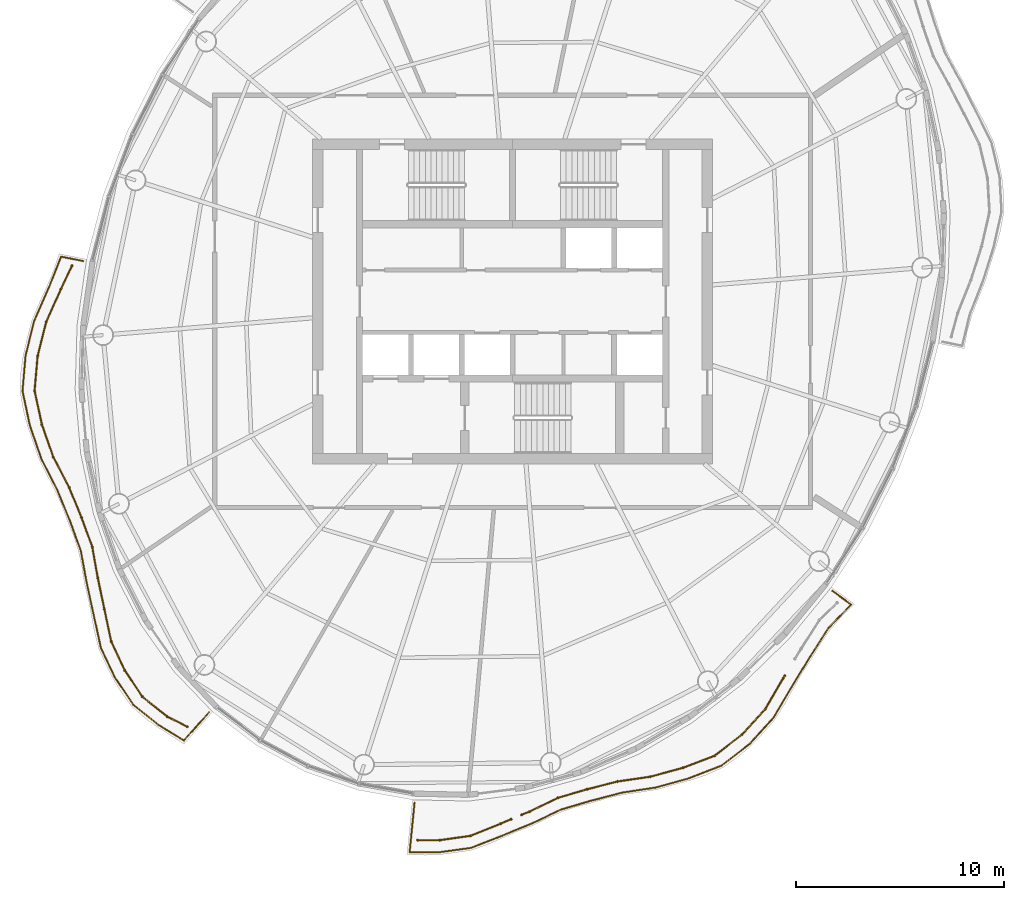
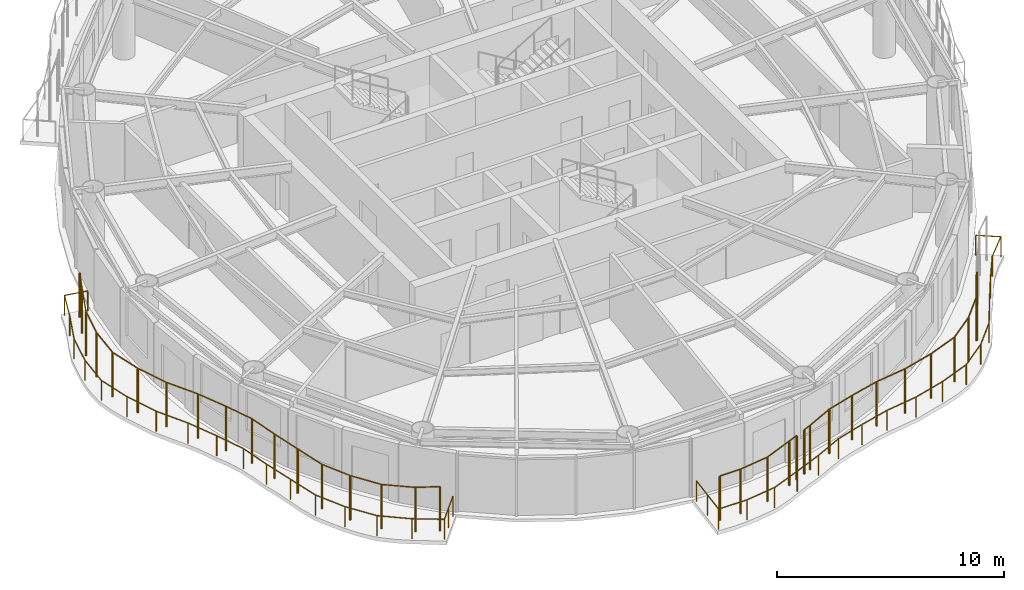
# One storey, part 11 of 13: 5 railings.
"""IFC4 building model written with IfcOpenShell, lengths in metres."""

from ifc_helpers import new_model, si_unit, direction, frame, origin, origin_2d, place, context, subcontext, project, spatial, circle, extrude, material, type_object, element, save


model = new_model("IFC4")

# Units and contexts
model_context = context("Model", 3, precision=1e-05, world=origin(), true_north=direction((0.0, 1.0)))
body_context = subcontext(model_context, "Body", "Model", "MODEL_VIEW")
ifc_project = project(units=[si_unit("LENGTHUNIT", "METRE"), si_unit("AREAUNIT", "SQUARE_METRE"), si_unit("VOLUMEUNIT", "CUBIC_METRE"), si_unit("PLANEANGLEUNIT", "RADIAN"), si_unit("MASSUNIT", "GRAM", prefix="KILO")], contexts=[model_context])

# Site, building, storey
site_placement = place(None, origin())
site = spatial("IfcSite", under=ifc_project, at=site_placement, CompositionType="ELEMENT")
building_placement = place(site_placement, origin())
building = spatial("IfcBuilding", under=site, at=building_placement, Name="Vermilion Reach Broadcast Tower", CompositionType="ELEMENT")
storey_placement = place(building_placement, frame((0.0, 0.0, 297.300048828125)))
storey = spatial("IfcBuildingStorey", under=building, at=storey_placement, Name="L74", CompositionType="ELEMENT", Elevation=297.300048828125)

# Railings
ifc_material_1 = material(Name="Terracotta baguette", Category="masonry")
railing_type_1 = type_object("IfcRailingType", Name="BAGUETTE SCREEN", PredefinedType="USERDEFINED", material=ifc_material_1)
railing_1_placement = place(storey_placement, frame((-27.15966796875, 1.70751953125, 0.0)))
element("IfcRailing", 1, at=railing_1_placement, inside=storey, type_object=railing_type_1, Name="Baguette screen L74 group 2", ObjectType="BAGUETTE SCREEN", PredefinedType="USERDEFINED", context=body_context, shape_type="SweptSolid", body=[
    extrude(circle(Radius=0.030029296875, at=origin_2d()), frame((0.0, 0.0, 2.369873046875), z_axis=(-0.43003390329, -0.902812739177, 0.0), x_axis=(0.902812739177, -0.43003390329, 0.0)), (0.0, 0.0, 1.0), 1.22802734375),
    extrude(circle(Radius=0.030029296875, at=origin_2d()), frame((-0.528076171875, -1.108642578125, 2.369873046875), z_axis=(-0.408757323197, -0.912643112467, 0.0), x_axis=(0.912643112467, -0.408757323197, 0.0)), (0.0, 0.0, 1.0), 1.737548828125),
    extrude(circle(Radius=0.030029296875, at=origin_2d()), frame((-1.23828125, -2.6943359375, 2.369873046875), z_axis=(-0.244001333506, -0.969774896173, 0.0), x_axis=(0.969774896173, -0.244001333506, 0.0)), (0.0, 0.0, 1.0), 1.68505859375),
    extrude(circle(Radius=0.030029296875, at=origin_2d()), frame((-1.6494140625, -4.328369140625, 2.369873046875), z_axis=(-0.087558468106, -0.996159382159, 0.0), x_axis=(0.996159382159, -0.087558468106, 0.0)), (0.0, 0.0, 1.0), 1.678466796875),
    extrude(circle(Radius=0.030029296875, at=origin_2d()), frame((-1.79638671875, -6.00048828125, 2.369873046875), z_axis=(0.211469674141, -0.977384559382, 0.0), x_axis=(0.977384559382, 0.211469674141, 0.0)), (0.0, 0.0, 1.0), 1.657958984375),
    extrude(circle(Radius=0.030029296875, at=origin_2d()), frame((-1.44580078125, -7.620849609375, 2.369873046875), z_axis=(0.332160049821, -0.943223039001, 0.0), x_axis=(0.943223039001, 0.332160049821, 0.0)), (0.0, 0.0, 1.0), 1.6640625),
    extrude(circle(Radius=0.030029296875, at=origin_2d()), frame((-0.89306640625, -9.1904296875, 2.369873046875), z_axis=(0.461606549393, -0.887084772475, 0.0), x_axis=(0.887084772475, 0.461606549393, 0.0)), (0.0, 0.0, 1.0), 1.63525390625),
    extrude(circle(Radius=0.030029296875, at=origin_2d()), frame((-0.13818359375, -10.64111328125, 2.369873046875), z_axis=(0.381544987924, -0.924350270293, 0.0), x_axis=(0.924350270293, 0.381544987924, 0.0)), (0.0, 0.0, 1.0), 1.559326171875),
    extrude(circle(Radius=0.030029296875, at=origin_2d()), frame((0.456787109375, -12.08251953125, 2.369873046875), z_axis=(0.344101161296, -0.938932580538, 0.0), x_axis=(0.938932580538, 0.344101161296, 0.0)), (0.0, 0.0, 1.0), 1.49560546875),
    extrude(circle(Radius=0.030029296875, at=origin_2d()), frame((0.971435546875, -13.48681640625, 2.369873046875), z_axis=(0.175239234512, -0.984525881167, 0.0), x_axis=(0.984525881167, 0.175239234512, 0.0)), (0.0, 0.0, 1.0), 1.532470703125),
    extrude(circle(Radius=0.030029296875, at=origin_2d()), frame((1.239990234375, -14.99560546875, 2.369873046875), z_axis=(0.206582141492, -0.978429261018, 0.0), x_axis=(0.978429261018, 0.206582141492, 0.0)), (0.0, 0.0, 1.0), 1.528076171875),
    extrude(circle(Radius=0.030029296875, at=origin_2d()), frame((1.5556640625, -16.49072265625, 2.369873046875), z_axis=(0.207526463859, -0.978229403973, 0.0), x_axis=(0.978229403973, 0.207526463859, 0.0)), (0.0, 0.0, 1.0), 1.590576171875),
    extrude(circle(Radius=0.030029296875, at=origin_2d()), frame((1.8857421875, -18.046630859375, 2.369873046875), z_axis=(0.426144059999, -0.904655315646, 0.0), x_axis=(0.904655315646, 0.426144059999, 0.0)), (0.0, 0.0, 1.0), 1.5244140625),
    extrude(circle(Radius=0.030029296875, at=origin_2d()), frame((2.535400390625, -19.42578125, 2.369873046875), z_axis=(0.555473271482, -0.831534391753, 0.0), x_axis=(0.831534391753, 0.555473271482, 0.0)), (0.0, 0.0, 1.0), 1.530029296875),
    extrude(circle(Radius=0.030029296875, at=origin_2d()), frame((3.38525390625, -20.697998046875, 2.369873046875), z_axis=(0.781183315192, -0.624301712368, 0.0), x_axis=(0.624301712368, 0.781183315192, 0.0)), (0.0, 0.0, 1.0), 1.51416015625),
    extrude(circle(Radius=0.030029296875, at=origin_2d()), frame((4.568115234375, -21.643310546875, 2.369873046875), z_axis=(0.894154555349, -0.44775845179, 0.0), x_axis=(0.44775845179, 0.894154555349, 0.0)), (0.0, 0.0, 1.0), 1.0751953125),
    extrude(circle(Radius=0.050048828125, at=origin_2d()), origin(), (0.0, 0.0, 1.0), 2.33984375),
    extrude(circle(Radius=0.050048828125, at=origin_2d()), frame((-0.528076171875, -1.108642578125, 0.0)), (0.0, 0.0, 1.0), 2.33984375),
    extrude(circle(Radius=0.050048828125, at=origin_2d()), frame((-1.23828125, -2.6943359375, 0.0)), (0.0, 0.0, 1.0), 2.33984375),
    extrude(circle(Radius=0.050048828125, at=origin_2d()), frame((-1.6494140625, -4.328369140625, 0.0)), (0.0, 0.0, 1.0), 2.33984375),
    extrude(circle(Radius=0.050048828125, at=origin_2d()), frame((-1.79638671875, -6.00048828125, 0.0)), (0.0, 0.0, 1.0), 2.33984375),
    extrude(circle(Radius=0.050048828125, at=origin_2d()), frame((-1.44580078125, -7.620849609375, 0.0)), (0.0, 0.0, 1.0), 2.33984375),
    extrude(circle(Radius=0.050048828125, at=origin_2d()), frame((-0.89306640625, -9.1904296875, 0.0)), (0.0, 0.0, 1.0), 2.33984375),
    extrude(circle(Radius=0.050048828125, at=origin_2d()), frame((-0.13818359375, -10.64111328125, 0.0)), (0.0, 0.0, 1.0), 2.33984375),
    extrude(circle(Radius=0.050048828125, at=origin_2d()), frame((0.456787109375, -12.08251953125, 0.0)), (0.0, 0.0, 1.0), 2.33984375),
    extrude(circle(Radius=0.050048828125, at=origin_2d()), frame((0.971435546875, -13.48681640625, 0.0)), (0.0, 0.0, 1.0), 2.33984375),
    extrude(circle(Radius=0.050048828125, at=origin_2d()), frame((1.239990234375, -14.99560546875, 0.0)), (0.0, 0.0, 1.0), 2.33984375),
    extrude(circle(Radius=0.050048828125, at=origin_2d()), frame((1.5556640625, -16.49072265625, 0.0)), (0.0, 0.0, 1.0), 2.33984375),
    extrude(circle(Radius=0.050048828125, at=origin_2d()), frame((1.8857421875, -18.046630859375, 0.0)), (0.0, 0.0, 1.0), 2.33984375),
    extrude(circle(Radius=0.050048828125, at=origin_2d()), frame((2.535400390625, -19.42578125, 0.0)), (0.0, 0.0, 1.0), 2.33984375),
    extrude(circle(Radius=0.050048828125, at=origin_2d()), frame((3.38525390625, -20.697998046875, 0.0)), (0.0, 0.0, 1.0), 2.33984375),
    extrude(circle(Radius=0.050048828125, at=origin_2d()), frame((4.568115234375, -21.643310546875, 0.0)), (0.0, 0.0, 1.0), 2.33984375),
    extrude(circle(Radius=0.050048828125, at=origin_2d()), frame((5.529541015625, -22.124755859375, 0.0)), (0.0, 0.0, 1.0), 2.33984375),
])
railing_2_placement = place(storey_placement, frame((-10.557861328125, -25.873046875, 0.0)))
element("IfcRailing", 2, at=railing_2_placement, inside=storey, type_object=railing_type_1, Name="Baguette screen L74 group 3 part 1", ObjectType="BAGUETTE SCREEN", PredefinedType="USERDEFINED", context=body_context, shape_type="SweptSolid", body=[
    extrude(circle(Radius=0.030029296875, at=origin_2d()), frame((0.0, 0.0, 2.369873046875), z_axis=(0.99999997327, 0.000231213867, 0.0), x_axis=(-0.000231213867, 0.99999997327, 0.0)), (0.0, 0.0, 1.0), 1.055908203125),
    extrude(circle(Radius=0.030029296875, at=origin_2d()), frame((1.055908203125, 0.000244140625, 2.369873046875), z_axis=(0.990092171327, 0.140418988308, 0.0), x_axis=(-0.140418988308, 0.990092171327, 0.0)), (0.0, 0.0, 1.0), 1.50048828125),
    extrude(circle(Radius=0.030029296875, at=origin_2d()), frame((2.54150390625, 0.2109375, 2.369873046875), z_axis=(0.927252284789, 0.374437178113, 0.0), x_axis=(-0.374437178113, 0.927252284789, 0.0)), (0.0, 0.0, 1.0), 1.560302734375),
    extrude(circle(Radius=0.030029296875, at=origin_2d()), frame((3.98828125, 0.795166015625, 2.369873046875), z_axis=(0.922497470459, 0.386003130813, 0.0), x_axis=(-0.386003130813, 0.922497470459, 0.0)), (0.0, 0.0, 1.0), 0.536865234375),
    extrude(circle(Radius=0.050048828125, at=origin_2d()), origin(), (0.0, 0.0, 1.0), 2.33984375),
    extrude(circle(Radius=0.050048828125, at=origin_2d()), frame((1.055908203125, 0.000244140625, 0.0)), (0.0, 0.0, 1.0), 2.33984375),
    extrude(circle(Radius=0.050048828125, at=origin_2d()), frame((2.54150390625, 0.2109375, 0.0)), (0.0, 0.0, 1.0), 2.33984375),
    extrude(circle(Radius=0.050048828125, at=origin_2d()), frame((3.98828125, 0.795166015625, 0.0)), (0.0, 0.0, 1.0), 2.33984375),
    extrude(circle(Radius=0.050048828125, at=origin_2d()), frame((4.483642578125, 1.00244140625, 0.0)), (0.0, 0.0, 1.0), 2.33984375),
])
railing_3_placement = place(storey_placement, frame((-5.564208984375, -24.657470703125, 0.0)))
element("IfcRailing", 3, at=railing_3_placement, inside=storey, type_object=railing_type_1, Name="Baguette screen L74 group 3 part 2", ObjectType="BAGUETTE SCREEN", PredefinedType="USERDEFINED", context=body_context, shape_type="SweptSolid", body=[
    extrude(circle(Radius=0.030029296875, at=origin_2d()), frame((0.0, 0.0, 2.369873046875), z_axis=(0.922337709853, 0.38638471629, 0.0), x_axis=(-0.38638471629, 0.922337709853, 0.0)), (0.0, 0.0, 1.0), 0.411376953125),
    extrude(circle(Radius=0.030029296875, at=origin_2d()), frame((0.37939453125, 0.158935546875, 2.369873046875), z_axis=(0.900312959604, 0.43524312145, 0.0), x_axis=(-0.43524312145, 0.900312959604, 0.0)), (0.0, 0.0, 1.0), 1.506103515625),
    extrude(circle(Radius=0.030029296875, at=origin_2d()), frame((1.7353515625, 0.814453125, 2.369873046875), z_axis=(0.959106560894, 0.283045234637, 0.0), x_axis=(-0.283045234637, 0.959106560894, 0.0)), (0.0, 0.0, 1.0), 1.45849609375),
    extrude(circle(Radius=0.030029296875, at=origin_2d()), frame((3.13427734375, 1.227294921875, 2.369873046875), z_axis=(0.968751355503, 0.248033891254, 0.0), x_axis=(-0.248033891254, 0.968751355503, 0.0)), (0.0, 0.0, 1.0), 1.513916015625),
    extrude(circle(Radius=0.030029296875, at=origin_2d()), frame((4.600830078125, 1.602783203125, 2.369873046875), z_axis=(0.989646051843, 0.143529411867, 0.0), x_axis=(-0.143529411867, 0.989646051843, 0.0)), (0.0, 0.0, 1.0), 1.588623046875),
    extrude(circle(Radius=0.030029296875, at=origin_2d()), frame((6.173095703125, 1.830810546875, 2.369873046875), z_axis=(0.964867390318, 0.262737357643, 0.0), x_axis=(-0.262737357643, 0.964867390318, 0.0)), (0.0, 0.0, 1.0), 1.630859375),
    extrude(circle(Radius=0.030029296875, at=origin_2d()), frame((7.74658203125, 2.25927734375, 2.369873046875), z_axis=(0.933676221653, 0.358118294869, 0.0), x_axis=(-0.358118294869, 0.933676221653, 0.0)), (0.0, 0.0, 1.0), 1.634765625),
    extrude(circle(Radius=0.030029296875, at=origin_2d()), frame((9.27294921875, 2.8447265625, 2.369873046875), z_axis=(0.79000596658, 0.613099154109, 0.0), x_axis=(-0.613099154109, 0.79000596658, 0.0)), (0.0, 0.0, 1.0), 1.647705078125),
    extrude(circle(Radius=0.030029296875, at=origin_2d()), frame((10.57470703125, 3.85498046875, 2.369873046875), z_axis=(0.674518296329, 0.738258130952, 0.0), x_axis=(-0.738258130952, 0.674518296329, 0.0)), (0.0, 0.0, 1.0), 1.65087890625),
    extrude(circle(Radius=0.030029296875, at=origin_2d()), frame((11.688232421875, 5.07373046875, 2.369873046875), z_axis=(0.504436032976, 0.863449065455, 0.0), x_axis=(-0.863449065455, 0.504436032976, 0.0)), (0.0, 0.0, 1.0), 1.71923828125),
    extrude(circle(Radius=0.030029296875, at=origin_2d()), frame((12.555419921875, 6.55810546875, 2.369873046875), z_axis=(0.517506593482, 0.855679218926, 0.0), x_axis=(-0.855679218926, 0.517506593482, 0.0)), (0.0, 0.0, 1.0), 0.142822265625),
    extrude(circle(Radius=0.050048828125, at=origin_2d()), origin(), (0.0, 0.0, 1.0), 2.33984375),
    extrude(circle(Radius=0.050048828125, at=origin_2d()), frame((0.37939453125, 0.158935546875, 0.0)), (0.0, 0.0, 1.0), 2.33984375),
    extrude(circle(Radius=0.050048828125, at=origin_2d()), frame((1.7353515625, 0.814453125, 0.0)), (0.0, 0.0, 1.0), 2.33984375),
    extrude(circle(Radius=0.050048828125, at=origin_2d()), frame((3.13427734375, 1.227294921875, 0.0)), (0.0, 0.0, 1.0), 2.33984375),
    extrude(circle(Radius=0.050048828125, at=origin_2d()), frame((4.600830078125, 1.602783203125, 0.0)), (0.0, 0.0, 1.0), 2.33984375),
    extrude(circle(Radius=0.050048828125, at=origin_2d()), frame((6.173095703125, 1.830810546875, 0.0)), (0.0, 0.0, 1.0), 2.33984375),
    extrude(circle(Radius=0.050048828125, at=origin_2d()), frame((7.74658203125, 2.25927734375, 0.0)), (0.0, 0.0, 1.0), 2.33984375),
    extrude(circle(Radius=0.050048828125, at=origin_2d()), frame((9.27294921875, 2.8447265625, 0.0)), (0.0, 0.0, 1.0), 2.33984375),
    extrude(circle(Radius=0.050048828125, at=origin_2d()), frame((10.57470703125, 3.85498046875, 0.0)), (0.0, 0.0, 1.0), 2.33984375),
    extrude(circle(Radius=0.050048828125, at=origin_2d()), frame((11.688232421875, 5.07373046875, 0.0)), (0.0, 0.0, 1.0), 2.33984375),
    extrude(circle(Radius=0.050048828125, at=origin_2d()), frame((12.555419921875, 6.55810546875, 0.0)), (0.0, 0.0, 1.0), 2.33984375),
    extrude(circle(Radius=0.050048828125, at=origin_2d()), frame((12.62939453125, 6.680419921875, 0.0)), (0.0, 0.0, 1.0), 2.33984375),
])
ifc_material_2 = material(Name="Stainless steel 316 balustrade", Category="steel")
railing_type_2 = type_object("IfcRailingType", Name="Balcony guard 1100", PredefinedType="BALUSTRADE", material=ifc_material_2)
railing_4_placement = place(storey_placement, frame((-26.623779296875, 1.935791015625, 0.0)))
element("IfcRailing", 4, at=railing_4_placement, inside=storey, type_object=railing_type_2, Name="Balcony guard L74 group 2", PredefinedType="BALUSTRADE", context=body_context, shape_type="SweptSolid", body=[
    extrude(circle(Radius=0.02490234375, at=origin_2d()), frame((0.0, 0.0, 1.0751953125), z_axis=(-0.980414901531, 0.196943191949, 0.0), x_axis=(-0.196943191949, -0.980414901531, 0.0)), (0.0, 0.0, 1.0), 1.07861328125),
    extrude(circle(Radius=0.02490234375, at=origin_2d()), frame((-1.057373046875, 0.21240234375, 1.0751953125), z_axis=(-0.368132097817, -0.929773498524, 0.0), x_axis=(0.929773498524, -0.368132097817, 0.0)), (0.0, 0.0, 1.0), 1.5771484375),
    extrude(circle(Radius=0.02490234375, at=origin_2d()), frame((-1.637939453125, -1.25390625, 1.0751953125), z_axis=(-0.403575642168, -0.914946283149, 0.0), x_axis=(0.914946283149, -0.403575642168, 0.0)), (0.0, 0.0, 1.0), 1.768798828125),
    extrude(circle(Radius=0.02490234375, at=origin_2d()), frame((-2.351806640625, -2.872314453125, 1.0751953125), z_axis=(-0.240561388991, -0.97063392591, 0.0), x_axis=(0.97063392591, -0.240561388991, 0.0)), (0.0, 0.0, 1.0), 1.71728515625),
    extrude(circle(Radius=0.02490234375, at=origin_2d()), frame((-2.764892578125, -4.5390625, 1.0751953125), z_axis=(-0.085983515892, -0.996296559763, 0.0), x_axis=(0.996296559763, -0.085983515892, 0.0)), (0.0, 0.0, 1.0), 1.712158203125),
    extrude(circle(Radius=0.02490234375, at=origin_2d()), frame((-2.912109375, -6.244873046875, 1.0751953125), z_axis=(0.208454368031, -0.978032093772, 0.0), x_axis=(0.978032093772, 0.208454368031, 0.0)), (0.0, 0.0, 1.0), 1.691162109375),
    extrude(circle(Radius=0.02490234375, at=origin_2d()), frame((-2.5595703125, -7.89892578125, 1.0751953125), z_axis=(0.327846008276, -0.944731175974, 0.0), x_axis=(0.944731175974, 0.327846008276, 0.0)), (0.0, 0.0, 1.0), 1.69873046875),
    extrude(circle(Radius=0.02490234375, at=origin_2d()), frame((-2.002685546875, -9.503662109375, 1.0751953125), z_axis=(0.455850438437, -0.890056390223, 0.0), x_axis=(0.890056390223, 0.455850438437, 0.0)), (0.0, 0.0, 1.0), 1.66943359375),
    extrude(circle(Radius=0.02490234375, at=origin_2d()), frame((-1.24169921875, -10.989501953125, 1.0751953125), z_axis=(0.378394612492, -0.925644379466, 0.0), x_axis=(0.925644379466, 0.378394612492, 0.0)), (0.0, 0.0, 1.0), 1.59619140625),
    extrude(circle(Radius=0.02490234375, at=origin_2d()), frame((-0.6376953125, -12.467041015625, 1.0751953125), z_axis=(0.343047042294, -0.939318224444, 0.0), x_axis=(0.939318224444, 0.343047042294, 0.0)), (0.0, 0.0, 1.0), 1.532958984375),
    extrude(circle(Radius=0.02490234375, at=origin_2d()), frame((-0.11181640625, -13.906982421875, 1.0751953125), z_axis=(0.179979503488, -0.983670360601, 0.0), x_axis=(0.983670360601, 0.179979503488, 0.0)), (0.0, 0.0, 1.0), 1.57080078125),
    extrude(circle(Radius=0.02490234375, at=origin_2d()), frame((0.1708984375, -15.4521484375, 1.0751953125), z_axis=(0.212157824324, -0.977235415639, 0.0), x_axis=(0.977235415639, 0.212157824324, 0.0)), (0.0, 0.0, 1.0), 1.566162109375),
    extrude(circle(Radius=0.02490234375, at=origin_2d()), frame((0.503173828125, -16.982666015625, 1.0751953125), z_axis=(0.214916066559, -0.976632522669, 0.0), x_axis=(0.976632522669, 0.214916066559, 0.0)), (0.0, 0.0, 1.0), 1.630126953125),
    extrude(circle(Radius=0.02490234375, at=origin_2d()), frame((0.853515625, -18.57470703125, 1.0751953125), z_axis=(0.429219057062, -0.90320042131, 0.0), x_axis=(0.90320042131, 0.429219057062, 0.0)), (0.0, 0.0, 1.0), 1.5654296875),
    extrude(circle(Radius=0.02490234375, at=origin_2d()), frame((1.525390625, -19.988525390625, 1.0751953125), z_axis=(0.557026080446, -0.830495000408, 0.0), x_axis=(0.830495000408, 0.557026080446, 0.0)), (0.0, 0.0, 1.0), 1.572998046875),
    extrude(circle(Radius=0.02490234375, at=origin_2d()), frame((2.401611328125, -21.294921875, 1.0751953125), z_axis=(0.778215266435, -0.627997610734, 0.0), x_axis=(0.627997610734, 0.778215266435, 0.0)), (0.0, 0.0, 1.0), 1.556884765625),
    extrude(circle(Radius=0.02490234375, at=origin_2d()), frame((3.61328125, -22.272705078125, 1.0751953125), z_axis=(0.851991361312, -0.523555842533, 0.0), x_axis=(0.523555842533, 0.851991361312, 0.0)), (0.0, 0.0, 1.0), 1.433837890625),
    extrude(circle(Radius=0.02490234375, at=origin_2d()), frame((4.8349609375, -23.0234375, 1.0751953125), z_axis=(0.666984392369, 0.745071688052, 0.0), x_axis=(-0.745071688052, 0.666984392369, 0.0)), (0.0, 0.0, 1.0), 1.80712890625),
    extrude(circle(Radius=0.02490234375, at=origin_2d()), origin(), (0.0, 0.0, 1.0), 1.050048828125),
    extrude(circle(Radius=0.02490234375, at=origin_2d()), frame((-1.057373046875, 0.21240234375, 0.0)), (0.0, 0.0, 1.0), 1.050048828125),
    extrude(circle(Radius=0.02490234375, at=origin_2d()), frame((-1.637939453125, -1.25390625, 0.0)), (0.0, 0.0, 1.0), 1.050048828125),
    extrude(circle(Radius=0.02490234375, at=origin_2d()), frame((-2.351806640625, -2.872314453125, 0.0)), (0.0, 0.0, 1.0), 1.050048828125),
    extrude(circle(Radius=0.02490234375, at=origin_2d()), frame((-2.764892578125, -4.5390625, 0.0)), (0.0, 0.0, 1.0), 1.050048828125),
    extrude(circle(Radius=0.02490234375, at=origin_2d()), frame((-2.912109375, -6.244873046875, 0.0)), (0.0, 0.0, 1.0), 1.050048828125),
    extrude(circle(Radius=0.02490234375, at=origin_2d()), frame((-2.5595703125, -7.89892578125, 0.0)), (0.0, 0.0, 1.0), 1.050048828125),
    extrude(circle(Radius=0.02490234375, at=origin_2d()), frame((-2.002685546875, -9.503662109375, 0.0)), (0.0, 0.0, 1.0), 1.050048828125),
    extrude(circle(Radius=0.02490234375, at=origin_2d()), frame((-1.24169921875, -10.989501953125, 0.0)), (0.0, 0.0, 1.0), 1.050048828125),
    extrude(circle(Radius=0.02490234375, at=origin_2d()), frame((-0.6376953125, -12.467041015625, 0.0)), (0.0, 0.0, 1.0), 1.050048828125),
    extrude(circle(Radius=0.02490234375, at=origin_2d()), frame((-0.11181640625, -13.906982421875, 0.0)), (0.0, 0.0, 1.0), 1.050048828125),
    extrude(circle(Radius=0.02490234375, at=origin_2d()), frame((0.1708984375, -15.4521484375, 0.0)), (0.0, 0.0, 1.0), 1.050048828125),
    extrude(circle(Radius=0.02490234375, at=origin_2d()), frame((0.503173828125, -16.982666015625, 0.0)), (0.0, 0.0, 1.0), 1.050048828125),
    extrude(circle(Radius=0.02490234375, at=origin_2d()), frame((0.853515625, -18.57470703125, 0.0)), (0.0, 0.0, 1.0), 1.050048828125),
    extrude(circle(Radius=0.02490234375, at=origin_2d()), frame((1.525390625, -19.988525390625, 0.0)), (0.0, 0.0, 1.0), 1.050048828125),
    extrude(circle(Radius=0.02490234375, at=origin_2d()), frame((2.401611328125, -21.294921875, 0.0)), (0.0, 0.0, 1.0), 1.050048828125),
    extrude(circle(Radius=0.02490234375, at=origin_2d()), frame((3.61328125, -22.272705078125, 0.0)), (0.0, 0.0, 1.0), 1.050048828125),
    extrude(circle(Radius=0.02490234375, at=origin_2d()), frame((4.8349609375, -23.0234375, 0.0)), (0.0, 0.0, 1.0), 1.050048828125),
    extrude(circle(Radius=0.02490234375, at=origin_2d()), frame((5.4375, -22.35009765625, 0.0)), (0.0, 0.0, 1.0), 1.050048828125),
    extrude(circle(Radius=0.02490234375, at=origin_2d()), frame((6.040283203125, -21.677001953125, 0.0)), (0.0, 0.0, 1.0), 1.050048828125),
])
railing_5_placement = place(storey_placement, frame((-10.710693359375, -24.08740234375, 0.0)))
element("IfcRailing", 5, at=railing_5_placement, inside=storey, type_object=railing_type_2, Name="Balcony guard L74 group 3", PredefinedType="BALUSTRADE", context=body_context, shape_type="SweptSolid", body=[
    extrude(circle(Radius=0.02490234375, at=origin_2d()), frame((0.0, 0.0, 1.0751953125), z_axis=(-0.099115667301, -0.995075918961, 0.0), x_axis=(0.995075918961, -0.099115667301, 0.0)), (0.0, 0.0, 1.0), 2.3671875),
    extrude(circle(Radius=0.02490234375, at=origin_2d()), frame((-0.234619140625, -2.35546875, 1.0751953125), z_axis=(0.999976704095, -0.00682577955, 0.0), x_axis=(0.00682577955, 0.999976704095, 0.0)), (0.0, 0.0, 1.0), 1.4306640625),
    extrude(circle(Radius=0.02490234375, at=origin_2d()), frame((1.196044921875, -2.365234375, 1.0751953125), z_axis=(0.990590827869, 0.136856902429, 0.0), x_axis=(-0.136856902429, 0.990590827869, 0.0)), (0.0, 0.0, 1.0), 1.54296875),
    extrude(circle(Radius=0.02490234375, at=origin_2d()), frame((2.724609375, -2.154052734375, 1.0751953125), z_axis=(0.930159330595, 0.367156124431, 0.0), x_axis=(-0.367156124431, 0.930159330595, 0.0)), (0.0, 0.0, 1.0), 1.601806640625),
    extrude(circle(Radius=0.02490234375, at=origin_2d()), frame((4.214599609375, -1.56591796875, 1.0751953125), z_axis=(0.92486169023, 0.380303633883, 0.0), x_axis=(-0.380303633883, 0.92486169023, 0.0)), (0.0, 0.0, 1.0), 1.541259765625),
    extrude(circle(Radius=0.02490234375, at=origin_2d()), frame((5.64013671875, -0.979736328125, 1.0751953125), z_axis=(0.902790465125, 0.430080662295, 0.0), x_axis=(-0.430080662295, 0.902790465125, 0.0)), (0.0, 0.0, 1.0), 1.54638671875),
    extrude(circle(Radius=0.02490234375, at=origin_2d()), frame((7.0361328125, -0.314697265625, 1.0751953125), z_axis=(0.958980451693, 0.283472208991, 0.0), x_axis=(-0.283472208991, 0.958980451693, 0.0)), (0.0, 0.0, 1.0), 1.497802734375),
    extrude(circle(Radius=0.02490234375, at=origin_2d()), frame((8.472412109375, 0.10986328125, 1.0751953125), z_axis=(0.968006799476, 0.250923964912, 0.0), x_axis=(-0.250923964912, 0.968006799476, 0.0)), (0.0, 0.0, 1.0), 1.552734375),
    extrude(circle(Radius=0.02490234375, at=origin_2d()), frame((9.9755859375, 0.49951171875, 1.0751953125), z_axis=(0.988663501413, 0.150148196703, 0.0), x_axis=(-0.150148196703, 0.988663501413, 0.0)), (0.0, 0.0, 1.0), 1.624267578125),
    extrude(circle(Radius=0.02490234375, at=origin_2d()), frame((11.58154296875, 0.743408203125, 1.0751953125), z_axis=(0.963499023906, 0.267711843092, 0.0), x_axis=(-0.267711843092, 0.963499023906, 0.0)), (0.0, 0.0, 1.0), 1.6669921875),
    extrude(circle(Radius=0.02490234375, at=origin_2d()), frame((13.187744140625, 1.189697265625, 1.0751953125), z_axis=(0.93216099846, 0.362044020735, 0.0), x_axis=(-0.362044020735, 0.93216099846, 0.0)), (0.0, 0.0, 1.0), 1.669677734375),
    extrude(circle(Radius=0.02490234375, at=origin_2d()), frame((14.744140625, 1.794189453125, 1.0751953125), z_axis=(0.790537943196, 0.612413063518, 0.0), x_axis=(-0.612413063518, 0.790537943196, 0.0)), (0.0, 0.0, 1.0), 1.68310546875),
    extrude(circle(Radius=0.02490234375, at=origin_2d()), frame((16.07470703125, 2.824951171875, 1.0751953125), z_axis=(0.676616793342, 0.736335327801, 0.0), x_axis=(-0.736335327801, 0.676616793342, 0.0)), (0.0, 0.0, 1.0), 1.684326171875),
    extrude(circle(Radius=0.02490234375, at=origin_2d()), frame((17.21435546875, 4.065185546875, 1.0751953125), z_axis=(0.509320893916, 0.860576682824, 0.0), x_axis=(-0.860576682824, 0.509320893916, 0.0)), (0.0, 0.0, 1.0), 1.75146484375),
    extrude(circle(Radius=0.02490234375, at=origin_2d()), frame((18.1064453125, 5.572509765625, 1.0751953125), z_axis=(0.521853413418, 0.853035177999, 0.0), x_axis=(-0.853035177999, 0.521853413418, 0.0)), (0.0, 0.0, 1.0), 1.68896484375),
    extrude(circle(Radius=0.02490234375, at=origin_2d()), frame((18.98779296875, 7.01318359375, 1.0751953125), z_axis=(0.540270682126, 0.84149128934, 0.0), x_axis=(-0.84149128934, 0.540270682126, 0.0)), (0.0, 0.0, 1.0), 1.6728515625),
    extrude(circle(Radius=0.02490234375, at=origin_2d()), frame((19.8916015625, 8.4208984375, 1.0751953125), z_axis=(0.696338685241, 0.717713337926, 0.0), x_axis=(-0.717713337926, 0.696338685241, 0.0)), (0.0, 0.0, 1.0), 1.5419921875),
    extrude(circle(Radius=0.02490234375, at=origin_2d()), frame((20.96533203125, 9.527587890625, 1.0751953125), z_axis=(-0.807358980923, 0.590060569707, 0.0), x_axis=(-0.590060569707, -0.807358980923, 0.0)), (0.0, 0.0, 1.0), 1.113525390625),
    extrude(circle(Radius=0.02490234375, at=origin_2d()), origin(), (0.0, 0.0, 1.0), 1.050048828125),
    extrude(circle(Radius=0.02490234375, at=origin_2d()), frame((-0.1171875, -1.177734375, 0.0)), (0.0, 0.0, 1.0), 1.050048828125),
    extrude(circle(Radius=0.02490234375, at=origin_2d()), frame((-0.234619140625, -2.35546875, 0.0)), (0.0, 0.0, 1.0), 1.050048828125),
    extrude(circle(Radius=0.02490234375, at=origin_2d()), frame((1.196044921875, -2.365234375, 0.0)), (0.0, 0.0, 1.0), 1.050048828125),
    extrude(circle(Radius=0.02490234375, at=origin_2d()), frame((2.724609375, -2.154052734375, 0.0)), (0.0, 0.0, 1.0), 1.050048828125),
    extrude(circle(Radius=0.02490234375, at=origin_2d()), frame((4.214599609375, -1.56591796875, 0.0)), (0.0, 0.0, 1.0), 1.050048828125),
    extrude(circle(Radius=0.02490234375, at=origin_2d()), frame((5.64013671875, -0.979736328125, 0.0)), (0.0, 0.0, 1.0), 1.050048828125),
    extrude(circle(Radius=0.02490234375, at=origin_2d()), frame((7.0361328125, -0.314697265625, 0.0)), (0.0, 0.0, 1.0), 1.050048828125),
    extrude(circle(Radius=0.02490234375, at=origin_2d()), frame((8.472412109375, 0.10986328125, 0.0)), (0.0, 0.0, 1.0), 1.050048828125),
    extrude(circle(Radius=0.02490234375, at=origin_2d()), frame((9.9755859375, 0.49951171875, 0.0)), (0.0, 0.0, 1.0), 1.050048828125),
    extrude(circle(Radius=0.02490234375, at=origin_2d()), frame((11.58154296875, 0.743408203125, 0.0)), (0.0, 0.0, 1.0), 1.050048828125),
    extrude(circle(Radius=0.02490234375, at=origin_2d()), frame((13.187744140625, 1.189697265625, 0.0)), (0.0, 0.0, 1.0), 1.050048828125),
    extrude(circle(Radius=0.02490234375, at=origin_2d()), frame((14.744140625, 1.794189453125, 0.0)), (0.0, 0.0, 1.0), 1.050048828125),
    extrude(circle(Radius=0.02490234375, at=origin_2d()), frame((16.07470703125, 2.824951171875, 0.0)), (0.0, 0.0, 1.0), 1.050048828125),
    extrude(circle(Radius=0.02490234375, at=origin_2d()), frame((17.21435546875, 4.065185546875, 0.0)), (0.0, 0.0, 1.0), 1.050048828125),
    extrude(circle(Radius=0.02490234375, at=origin_2d()), frame((18.1064453125, 5.572509765625, 0.0)), (0.0, 0.0, 1.0), 1.050048828125),
    extrude(circle(Radius=0.02490234375, at=origin_2d()), frame((18.98779296875, 7.01318359375, 0.0)), (0.0, 0.0, 1.0), 1.050048828125),
    extrude(circle(Radius=0.02490234375, at=origin_2d()), frame((19.8916015625, 8.4208984375, 0.0)), (0.0, 0.0, 1.0), 1.050048828125),
    extrude(circle(Radius=0.02490234375, at=origin_2d()), frame((20.96533203125, 9.527587890625, 0.0)), (0.0, 0.0, 1.0), 1.050048828125),
    extrude(circle(Radius=0.02490234375, at=origin_2d()), frame((20.06640625, 10.1845703125, 0.0)), (0.0, 0.0, 1.0), 1.050048828125),
])

save(model, "model.ifc")
